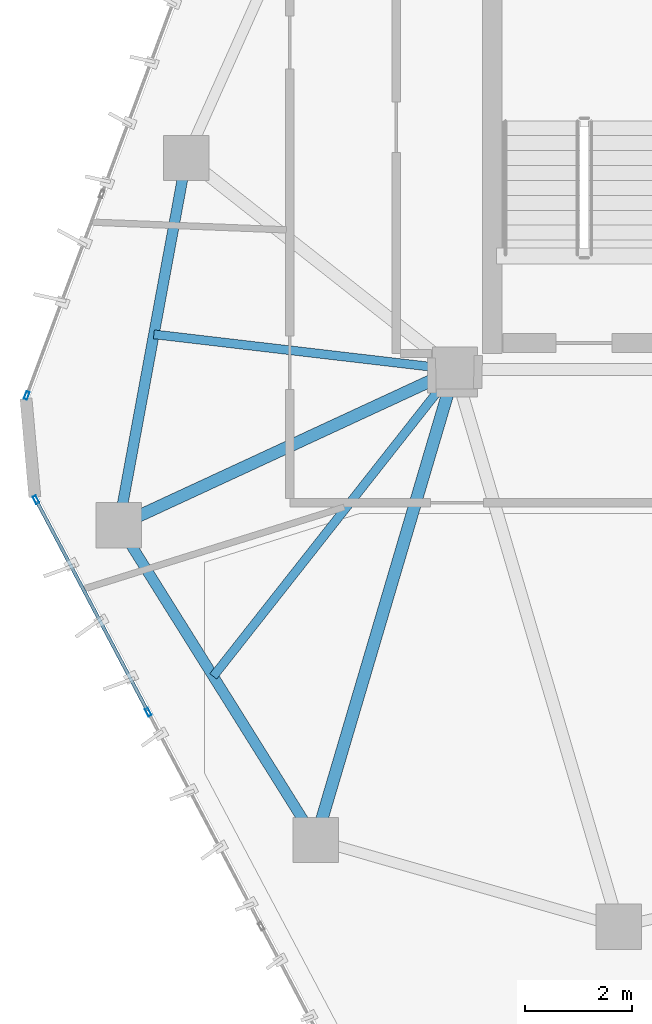
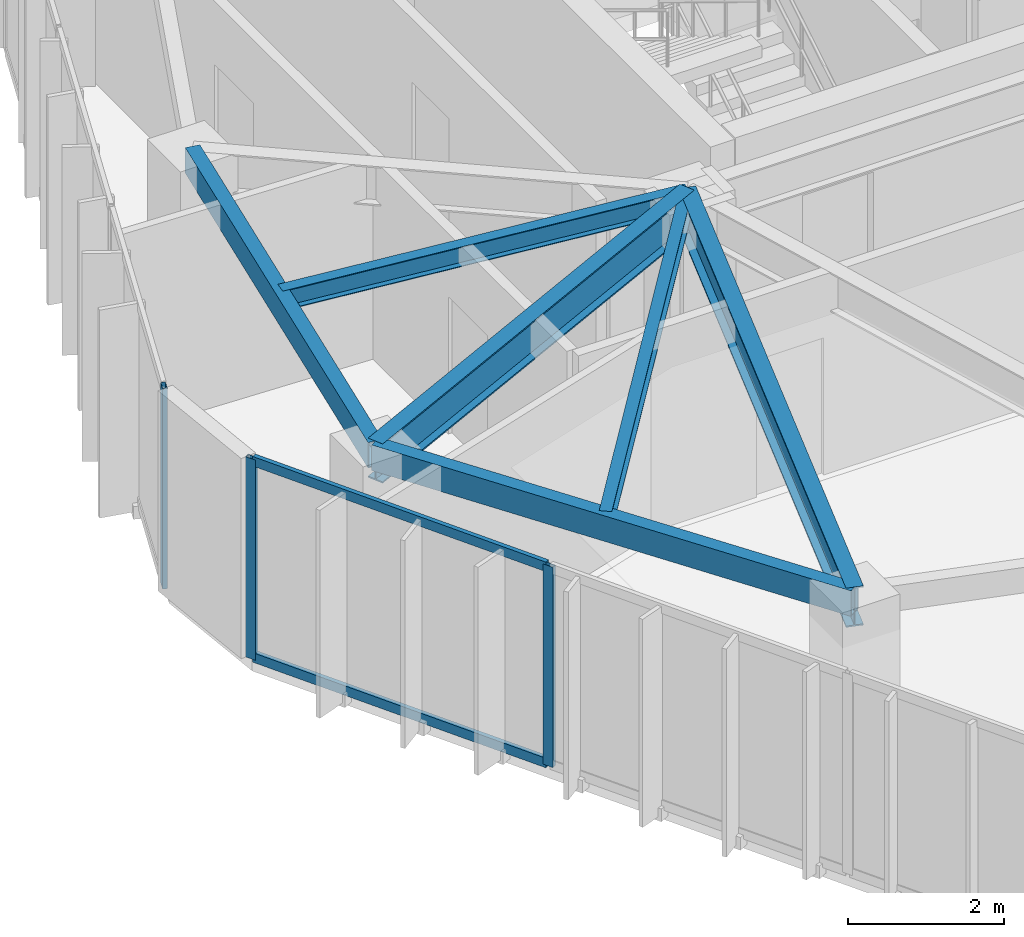
# One storey, part 4 of 20: 6 beams, 5 members, 2 elements without a shape of their own.
"""IFC4 building model written with IfcOpenShell, lengths in metres."""

import ifcopenshell
import ifcopenshell.guid

model = None  # the IFC model being written
_history = None  # IfcOwnerHistory: only IFC2X3 demands one
_inside = {}  # id of a spatial element -> (the spatial element, [elements in it])
_under = {}  # id of a project, library or spatial element -> (it, [spatial elements below it])
_declared = {}  # id of a project -> (the project, [libraries it declares])
_typed = {}  # id of a type object -> (the type object, [elements of that type])
_made_of = {}  # id of a material, layer set ... -> (it, [elements and type objects made of it])


def new_model(schema):
    """Start an empty IFC model of exactly this schema.

    Asked for "IFC4X3", IfcOpenShell would pick the latest addendum, in which some entities
    have other attributes; the version numbers below select the first issue.
    IFC2X3 requires an IfcOwnerHistory on every rooted entity: one is made here for all.
    """
    global model, _history
    if schema == "IFC4X3":
        model = ifcopenshell.file(schema_version=(4, 3, 0, 0))
    else:
        model = ifcopenshell.file(schema=schema)
    _inside.clear()
    _under.clear()
    _declared.clear()
    _typed.clear()
    _made_of.clear()
    _history = None
    if model.schema == "IFC2X3":
        org = make("IfcOrganization", Name="unknown")
        user = make(
            "IfcPersonAndOrganization",
            ThePerson=make("IfcPerson", FamilyName="unknown"),
            TheOrganization=org,
        )
        app = make(
            "IfcApplication",
            ApplicationDeveloper=org,
            Version="unknown",
            ApplicationFullName="unknown",
            ApplicationIdentifier="unknown",
        )
        _history = make(
            "IfcOwnerHistory",
            OwningUser=user,
            OwningApplication=app,
            ChangeAction="ADDED",
            CreationDate=0,
        )
    return model


def make(cls, **values):
    """One entity of the class cls with the attributes given. An attribute that is None is left unset."""
    return model.create_entity(
        cls, **{name: value for name, value in values.items() if value is not None}
    )


def rooted(cls, **values):
    """An entity with a GlobalId (a new one), such as an element, a storey or a relation."""
    return make(cls, GlobalId=ifcopenshell.guid.new(), OwnerHistory=_history, **values)


def si_unit(unit_type, name, prefix=None):
    """IfcSIUnit, for example si_unit("LENGTHUNIT", "METRE", prefix="MILLI")."""
    return make("IfcSIUnit", UnitType=unit_type, Prefix=prefix, Name=name)


def assignment(units):
    """IfcUnitAssignment: the units of a project."""
    return None if units is None else make("IfcUnitAssignment", Units=units)


def point(xyz):
    """IfcCartesianPoint."""
    return None if xyz is None else make("IfcCartesianPoint", Coordinates=xyz)


def direction(xyz):
    """IfcDirection."""
    return None if xyz is None else make("IfcDirection", DirectionRatios=xyz)


def frame(location, z_axis=None, x_axis=None):
    """IfcAxis2Placement3D, a coordinate frame: its origin and axes. An axis left out is left unset."""
    return make(
        "IfcAxis2Placement3D",
        Location=point(location),
        Axis=direction(z_axis),
        RefDirection=direction(x_axis),
    )


def frame_2d(location, x_axis=None):
    """IfcAxis2Placement2D, a coordinate frame in the plane: its origin and x axis."""
    return make(
        "IfcAxis2Placement2D", Location=point(location), RefDirection=direction(x_axis)
    )


def origin():
    """The frame at (0, 0, 0) with its axes left unset."""
    return frame((0.0, 0.0, 0.0))


def origin_2d():
    """The frame at (0, 0) in the plane with its x axis left unset."""
    return frame_2d((0.0, 0.0))


def place(relative_to, where):
    """IfcLocalPlacement: puts the frame where relative to a parent placement (None: the world)."""
    return make(
        "IfcLocalPlacement", PlacementRelTo=relative_to, RelativePlacement=where
    )


def context(
    kind, dimensions, precision=None, world=None, true_north=None, identifier=None
):
    """IfcGeometricRepresentationContext, for example the 3D "Model" context."""
    return make(
        "IfcGeometricRepresentationContext",
        ContextIdentifier=identifier,
        ContextType=kind,
        CoordinateSpaceDimension=dimensions,
        Precision=precision,
        WorldCoordinateSystem=world,
        TrueNorth=true_north,
    )


def subcontext(parent, identifier, kind, view, scale=None):
    """IfcGeometricRepresentationSubContext, for example "Body" below "Model"."""
    return make(
        "IfcGeometricRepresentationSubContext",
        ContextIdentifier=identifier,
        ContextType=kind,
        ParentContext=parent,
        TargetScale=scale,
        TargetView=view,
    )


def project(units=None, contexts=None):
    """IfcProject with its units and contexts."""
    return rooted(
        "IfcProject",
        Name="project",
        RepresentationContexts=contexts,
        UnitsInContext=assignment(units),
    )


def spatial(cls, under=None, at=None, **own):
    """A site, building, storey or space (cls), placed at a placement, below another one or the project."""
    s = rooted(cls, ObjectPlacement=at, **own)
    if under is not None:
        _under.setdefault(under.id(), (under, []))[1].append(s)
    return s


def profile(cls, at=None, kind="AREA", **sizes):
    """A parametric profile (cls). Its sizes go by their IFC names, for example OverallWidth=200.0."""
    return make(cls, ProfileType=kind, Position=at, **sizes)


def hollow_rectangle(**sizes):
    """IfcRectangleHollowProfileDef."""
    return profile("IfcRectangleHollowProfileDef", **sizes)


def i_section(**sizes):
    """IfcIShapeProfileDef."""
    return profile("IfcIShapeProfileDef", **sizes)


def extrude(swept, where, along, depth):
    """IfcExtrudedAreaSolid: the profile swept, set in the frame where, extruded along a direction by depth."""
    return make(
        "IfcExtrudedAreaSolid",
        SweptArea=swept,
        Position=where,
        ExtrudedDirection=direction(along),
        Depth=depth,
    )


def shape(context_of_items, identifier, shape_type, items):
    """IfcShapeRepresentation: the items that make up one representation, for example the "Body"."""
    return make(
        "IfcShapeRepresentation",
        ContextOfItems=context_of_items,
        RepresentationIdentifier=identifier,
        RepresentationType=shape_type,
        Items=items,
    )


def source(mapping_origin, context_of_items, identifier, shape_type, items):
    """IfcRepresentationMap: a shape defined once, which mapped items show again and again."""
    return make(
        "IfcRepresentationMap",
        MappingOrigin=mapping_origin,
        MappedRepresentation=shape(context_of_items, identifier, shape_type, items),
    )


def transform(
    local_origin,
    x_axis=None,
    y_axis=None,
    z_axis=None,
    scale=None,
    scale2=None,
    scale3=None,
    uniform=True,
):
    """IfcCartesianTransformationOperator3D, or its non-uniform kind. x_axis, y_axis, z_axis: its Axis1, 2, 3."""
    if uniform:
        return make(
            "IfcCartesianTransformationOperator3D",
            Axis1=direction(x_axis),
            Axis2=direction(y_axis),
            LocalOrigin=point(local_origin),
            Scale=scale,
            Axis3=direction(z_axis),
        )
    return make(
        "IfcCartesianTransformationOperator3DnonUniform",
        Axis1=direction(x_axis),
        Axis2=direction(y_axis),
        LocalOrigin=point(local_origin),
        Scale=scale,
        Axis3=direction(z_axis),
        Scale2=scale2,
        Scale3=scale3,
    )


def mapped(mapping_source, mapping_target):
    """IfcMappedItem: shows the shape of a source again, moved by a transform."""
    return make(
        "IfcMappedItem", MappingSource=mapping_source, MappingTarget=mapping_target
    )


def material(Name=None, Category=None):
    """IfcMaterial."""
    return make("IfcMaterial", Name=Name, Category=Category)


def layer(
    of_material, thickness, ventilated=None, Name=None, Category=None, Priority=None
):
    """IfcMaterialLayer: one layer of a wall or slab, of a material (None: an air gap)."""
    return make(
        "IfcMaterialLayer",
        Material=of_material,
        LayerThickness=thickness,
        IsVentilated=ventilated,
        Name=Name,
        Category=Category,
        Priority=Priority,
    )


def layer_set(layers, Name=None):
    """IfcMaterialLayerSet."""
    return make("IfcMaterialLayerSet", MaterialLayers=layers, LayerSetName=Name)


def material_profile(
    of_material, cross_section, Name=None, Category=None, Priority=None
):
    """IfcMaterialProfile: a cross section and its material."""
    return make(
        "IfcMaterialProfile",
        Name=Name,
        Material=of_material,
        Profile=cross_section,
        Priority=Priority,
        Category=Category,
    )


def profile_set(profiles, Name=None, composite=None):
    """IfcMaterialProfileSet."""
    return make(
        "IfcMaterialProfileSet",
        Name=Name,
        MaterialProfiles=profiles,
        CompositeProfile=composite,
    )


def made_of(thing, what):
    """Note that an element or type object is made of a material, layer set ...; save() writes the relation."""
    if what is not None:
        _made_of.setdefault(what.id(), (what, []))[1].append(thing)
    return thing


def type_object(cls, material=None, **own):
    """A type object (cls), such as IfcWallType, which elements share."""
    return made_of(rooted(cls, **own), material)


def type_shapes(of_type, sources):
    """Give a type object the sources (RepresentationMaps) that its elements show as mapped items."""
    of_type.RepresentationMaps = sources


def element(
    cls,
    number,
    at=None,
    inside=None,
    cuts=None,
    type_object=None,
    material=None,
    context=None,
    identifier="Body",
    shape_type=None,
    held_by="IfcProductDefinitionShape",
    body=None,
    shapes=None,
    **own,
):
    """One element of the class cls, such as IfcWall. Its Tag is "e" and its number.

    at: its placement. inside: the storey or other place that contains it. cuts: it is an
    opening in that element (IfcRelVoidsElement). A single representation is given by context,
    identifier, shape_type and body (its items); several are given by shapes. held_by: the class
    of the entity that holds the representations. save() writes the other relations.
    """
    e = rooted(cls, Tag="e%d" % number, ObjectPlacement=at, **own)
    if body is not None:
        shapes = [shape(context, identifier, shape_type, body)]
    if shapes is not None:
        e.Representation = make(held_by, Representations=shapes)
    if inside is not None:
        _inside.setdefault(inside.id(), (inside, []))[1].append(e)
    if cuts is not None:
        rooted(
            "IfcRelVoidsElement", RelatingBuildingElement=cuts, RelatedOpeningElement=e
        )
    if type_object is not None:
        _typed.setdefault(type_object.id(), (type_object, []))[1].append(e)
    return made_of(e, material)


def aggregate(whole, parts):
    """IfcRelAggregates: a whole, such as a stair, and the parts it consists of."""
    return rooted("IfcRelAggregates", RelatingObject=whole, RelatedObjects=parts)


def save(model, path):
    """Write the relations noted so far, then the file.

    IfcRelAggregates (storeys below a building ...), IfcRelContainedInSpatialStructure (elements
    in a storey), IfcRelDefinesByType, IfcRelAssociatesMaterial and IfcRelDeclares: one each for
    every whole, place, type object, material and project.
    """
    for whole, parts in _under.values():
        aggregate(whole, parts)
    for where, things in _inside.values():
        rooted(
            "IfcRelContainedInSpatialStructure",
            RelatedElements=things,
            RelatingStructure=where,
        )
    for kind, things in _typed.values():
        rooted("IfcRelDefinesByType", RelatedObjects=things, RelatingType=kind)
    for what, things in _made_of.values():
        rooted("IfcRelAssociatesMaterial", RelatedObjects=things, RelatingMaterial=what)
    for by, libraries in _declared.values():
        rooted("IfcRelDeclares", RelatingContext=by, RelatedDefinitions=libraries)
    model.write(path)


model = new_model("IFC4")

# Units and contexts
model_context = context("Model", 3, precision=1e-05, world=origin(), true_north=direction((0.0, 1.0)))
body_context = subcontext(model_context, "Body", "Model", "MODEL_VIEW")
ifc_project = project(units=[si_unit("LENGTHUNIT", "METRE"), si_unit("AREAUNIT", "SQUARE_METRE"), si_unit("VOLUMEUNIT", "CUBIC_METRE"), si_unit("PLANEANGLEUNIT", "RADIAN"), si_unit("MASSUNIT", "GRAM", prefix="KILO")], contexts=[model_context])

# Site, building, storey
site_placement = place(None, origin())
site = spatial("IfcSite", under=ifc_project, at=site_placement, CompositionType="ELEMENT")
building_placement = place(site_placement, origin())
building = spatial("IfcBuilding", under=site, at=building_placement, Name="Talar Marvaseh", CompositionType="ELEMENT")
storey_placement = place(building_placement, frame((0.0, 0.0, 268.0)))
storey = spatial("IfcBuildingStorey", under=building, at=storey_placement, Name="L71", CompositionType="ELEMENT", Elevation=268.0)

# Beams
ifc_material_1 = material(Name="Steel S355", Category="steel")
ifc_material_profile_1 = material_profile(ifc_material_1, hollow_rectangle(XDim=0.199951171875, YDim=0.39990234375, WallThickness=0.013916015625, at=origin_2d()), Name="RHS400x200x14")
ifc_profile_set_1 = profile_set([ifc_material_profile_1], Name="Steel S355")
beam_type_1 = type_object("IfcBeamType", Name="Zone 3 Perimeter Spandrel Beam RHS400x200x14", PredefinedType="SPANDREL", material=ifc_profile_set_1)
beam_1_placement = place(storey_placement, frame((12.388916015625, 22.576904296875, 2.93994140625), z_axis=(0.18106135948, 0.983471801377, 0.0), x_axis=(-0.983471801377, 0.18106135948, 0.0)))
element("IfcBeam", 1, at=beam_1_placement, inside=storey, type_object=beam_type_1, Name="L71 Zone 3 Perimeter Spandrel Beam RHS400x200x14", PredefinedType="SPANDREL", context=body_context, shape_type="SweptSolid", body=[
    extrude(hollow_rectangle(XDim=0.199951171875, YDim=0.39990234375, WallThickness=0.013916015625, at=origin_2d()), origin(), (0.0, 0.0, 1.0), 7.0087890625),
])
beam_2_placement = place(storey_placement, frame((16.0869140625, 16.66796875, 2.93994140625), z_axis=(-0.530505706813, 0.847681364098, 0.0), x_axis=(-0.847681364098, -0.530505706813, 0.0)))
element("IfcBeam", 2, at=beam_2_placement, inside=storey, type_object=beam_type_1, Name="L71 Zone 3 Perimeter Spandrel Beam RHS400x200x14", PredefinedType="SPANDREL", context=body_context, shape_type="SweptSolid", body=[
    extrude(hollow_rectangle(XDim=0.199951171875, YDim=0.39990234375, WallThickness=0.013916015625, at=origin_2d()), origin(), (0.0, 0.0, 1.0), 6.970703125),
])
ifc_material_profile_2 = material_profile(ifc_material_1, i_section(OverallWidth=0.166015625, OverallDepth=0.31298828125, WebThickness=0.006591796875, FlangeThickness=0.01123046875, at=origin_2d()), Name="W310x45")
ifc_profile_set_2 = profile_set([ifc_material_profile_2], Name="Steel S355")
beam_type_2 = type_object("IfcBeamType", Name="Zone 3 Secondary Floor Joist W310x45", PredefinedType="JOIST", material=ifc_profile_set_2)
beam_3_placement = place(storey_placement, frame((13.048828125, 26.161376953125, 2.9833984375), z_axis=(0.993221011039, -0.116241228622, 0.0), x_axis=(0.116241228622, 0.993221011039, 0.0)))
element("IfcBeam", 3, at=beam_3_placement, inside=storey, type_object=beam_type_2, Name="L71 Zone 3 Secondary Floor Joist W310x45", PredefinedType="JOIST", context=body_context, shape_type="SweptSolid", body=[
    extrude(i_section(OverallWidth=0.166015625, OverallDepth=0.31298828125, WebThickness=0.006591796875, FlangeThickness=0.01123046875, at=origin_2d()), origin(), (0.0, 0.0, 1.0), 5.689697265625),
])
beam_4_placement = place(storey_placement, frame((14.1640625, 19.74072265625, 2.9833984375), z_axis=(0.618727137907, 0.785605962819, 0.0), x_axis=(-0.785605962819, 0.618727137907, 0.0)))
element("IfcBeam", 4, at=beam_4_placement, inside=storey, type_object=beam_type_2, Name="L71 Zone 3 Secondary Floor Joist W310x45", PredefinedType="JOIST", context=body_context, shape_type="SweptSolid", body=[
    extrude(i_section(OverallWidth=0.166015625, OverallDepth=0.31298828125, WebThickness=0.006591796875, FlangeThickness=0.01123046875, at=origin_2d()), origin(), (0.0, 0.0, 1.0), 7.3310546875),
])
ifc_material_profile_3 = material_profile(ifc_material_1, i_section(OverallWidth=0.22998046875, OverallDepth=0.616943359375, WebThickness=0.01318359375, FlangeThickness=0.022216796875, at=origin_2d()), Name="W610x140")
ifc_profile_set_3 = profile_set([ifc_material_profile_3], Name="Steel S355")
beam_type_3 = type_object("IfcBeamType", Name="Zone 4 Radial Floor Girder W610x140", PredefinedType="BEAM", material=ifc_profile_set_3)
beam_5_placement = place(storey_placement, frame((12.388916015625, 22.576904296875, 2.83154296875), z_axis=(0.907394527995, 0.420279871709, 0.0), x_axis=(-0.420279871709, 0.907394527995, 0.0)))
element("IfcBeam", 5, at=beam_5_placement, inside=storey, type_object=beam_type_3, Name="L71 Zone 4 Radial Floor Girder W610x140", PredefinedType="BEAM", context=body_context, shape_type="SweptSolid", body=[
    extrude(i_section(OverallWidth=0.22998046875, OverallDepth=0.616943359375, WebThickness=0.01318359375, FlangeThickness=0.022216796875, at=origin_2d()), origin(), (0.0, 0.0, 1.0), 6.955078125),
])
beam_6_placement = place(storey_placement, frame((16.0869140625, 16.66796875, 2.83154296875), z_axis=(0.283702937759, 0.958912218666, 0.0), x_axis=(-0.958912218666, 0.283702937759, 0.0)))
element("IfcBeam", 6, at=beam_6_placement, inside=storey, type_object=beam_type_3, Name="L71 Zone 4 Radial Floor Girder W610x140", PredefinedType="BEAM", context=body_context, shape_type="SweptSolid", body=[
    extrude(i_section(OverallWidth=0.22998046875, OverallDepth=0.616943359375, WebThickness=0.01318359375, FlangeThickness=0.022216796875, at=origin_2d()), origin(), (0.0, 0.0, 1.0), 9.21044921875),
])

# Curtain wall, members
ifc_material_2 = material(Name="Architectural Aluminium", Category="aluminium")
ifc_layer = layer(ifc_material_2, 0.179931640625)
ifc_layer_set = layer_set([ifc_layer], Name="Architectural Aluminium")
curtain_wall_type = type_object("IfcCurtainWallType", Name="Unitised High-Wind Sky Curtain Wall Z4", PredefinedType="NOTDEFINED", material=ifc_layer_set)
curtain_wall_1_placement = place(storey_placement, origin())
curtain_wall_1 = element("IfcCurtainWall", 7, at=curtain_wall_1_placement, inside=storey, type_object=curtain_wall_type, Name="L71 Unitised High-Wind Sky Curtain Wall Z4", PredefinedType="NOTDEFINED")
ifc_material_profile_4 = material_profile(ifc_material_2, hollow_rectangle(XDim=0.06494140625, YDim=0.14990234375, WallThickness=0.00390625, at=origin_2d()), Name="RHS150x65x4")
ifc_profile_set_4 = profile_set([ifc_material_profile_4], Name="Architectural Aluminium")
member_type_1 = type_object("IfcMemberType", Name="Unitised Curtain Wall Slim Mullion RHS150x65x4", PredefinedType="MULLION", material=ifc_profile_set_4)
shared_shape_1 = source(origin(), body_context, "Body", "SweptSolid", [
    extrude(hollow_rectangle(XDim=0.06494140625, YDim=0.14990234375, WallThickness=0.00390625, at=origin_2d()), origin(), (0.0, 0.0, 1.0), 3.139892578125),
])
type_shapes(member_type_1, [shared_shape_1])
member_1_placement = place(storey_placement, frame((12.943115234375, 19.0673828125, 0.0), z_axis=(0.0, 0.0, 1.0), x_axis=(-0.884205557891, -0.467097989071, 0.0)))
member_1 = element("IfcMember", 8, at=member_1_placement, type_object=member_type_1, Name="CW-Z4 mullion 3", PredefinedType="MULLION", context=body_context, shape_type="MappedRepresentation", body=[
    mapped(shared_shape_1, transform((0.0, 0.0, 0.0), x_axis=(1.0, 0.0, 0.0), y_axis=(0.0, 1.0, 0.0), z_axis=(0.0, 0.0, 1.0), scale=1.0)),
])
member_2_placement = place(storey_placement, frame((10.83544921875, 23.05712890625, 0.0), z_axis=(0.0, 0.0, 1.0), x_axis=(-0.884205557891, -0.467097989071, 0.0)))
member_2 = element("IfcMember", 9, at=member_2_placement, type_object=member_type_1, Name="CW-Z4 mullion 4", PredefinedType="MULLION", context=body_context, shape_type="MappedRepresentation", body=[
    mapped(shared_shape_1, transform((0.0, 0.0, 0.0), x_axis=(1.0, 0.0, 0.0), y_axis=(0.0, 1.0, 0.0), z_axis=(0.0, 0.0, 1.0), scale=1.0)),
])

# Curtain wall, member
curtain_wall_2_placement = place(storey_placement, origin())
curtain_wall_2 = element("IfcCurtainWall", 10, at=curtain_wall_2_placement, inside=storey, type_object=curtain_wall_type, Name="L71 Unitised High-Wind Sky Curtain Wall Z4", PredefinedType="NOTDEFINED")
member_3_placement = place(storey_placement, frame((10.66259765625, 25.014404296875, 0.0), z_axis=(0.0, 0.0, 1.0), x_axis=(-0.937087895549, 0.34909350612, 0.0)))
member_3 = element("IfcMember", 11, at=member_3_placement, type_object=member_type_1, Name="CW-Z4 mullion 1", PredefinedType="MULLION", context=body_context, shape_type="MappedRepresentation", body=[
    mapped(shared_shape_1, transform((0.0, 0.0, 0.0), x_axis=(1.0, 0.0, 0.0), y_axis=(0.0, 1.0, 0.0), z_axis=(0.0, 0.0, 1.0), scale=1.0)),
])
aggregate(curtain_wall_2, [member_3])

# Member
ifc_material_profile_5 = material_profile(ifc_material_2, hollow_rectangle(XDim=0.06494140625, YDim=0.14990234375, WallThickness=0.00390625, at=origin_2d()), Name="RHS150x65x4")
ifc_profile_set_5 = profile_set([ifc_material_profile_5], Name="Architectural Aluminium")
member_type_2 = type_object("IfcMemberType", Name="Unitised Curtain Wall Slim Transom RHS150x65x4", PredefinedType="USERDEFINED", material=ifc_profile_set_5)
shared_shape_2 = source(origin(), body_context, "Body", "SweptSolid", [
    extrude(hollow_rectangle(XDim=0.06494140625, YDim=0.14990234375, WallThickness=0.00390625, at=origin_2d()), origin(), (0.0, 0.0, 1.0), 4.447265625),
])
type_shapes(member_type_2, [shared_shape_2])
member_4_placement = place(storey_placement, frame((12.927978515625, 19.095947265625, 0.032470703125), z_axis=(-0.467105647623, 0.884201512077, 0.0), x_axis=(-0.884201512077, -0.467105647623, 0.0)))
member_4 = element("IfcMember", 12, at=member_4_placement, type_object=member_type_2, Name="CW-Z4 transom 3.1", ObjectType="TRANSOM", PredefinedType="USERDEFINED", context=body_context, shape_type="MappedRepresentation", body=[
    mapped(shared_shape_2, transform((0.0, 0.0, 0.0), x_axis=(1.0, 0.0, 0.0), y_axis=(0.0, 1.0, 0.0), z_axis=(0.0, 0.0, 1.0), scale=1.0)),
])

member_5_placement = place(storey_placement, frame((12.927978515625, 19.095947265625, 3.107421875), z_axis=(-0.467105647623, 0.884201512077, 0.0), x_axis=(-0.884201512077, -0.467105647623, 0.0)))
member_5 = element("IfcMember", 13, at=member_5_placement, type_object=member_type_2, Name="CW-Z4 transom 3.2", ObjectType="TRANSOM", PredefinedType="USERDEFINED", context=body_context, shape_type="MappedRepresentation", body=[
    mapped(shared_shape_2, transform((0.0, 0.0, 0.0), x_axis=(1.0, 0.0, 0.0), y_axis=(0.0, 1.0, 0.0), z_axis=(0.0, 0.0, 1.0), scale=1.0)),
])

aggregate(curtain_wall_1, [member_1, member_2, member_4, member_5])

save(model, "model.ifc")
